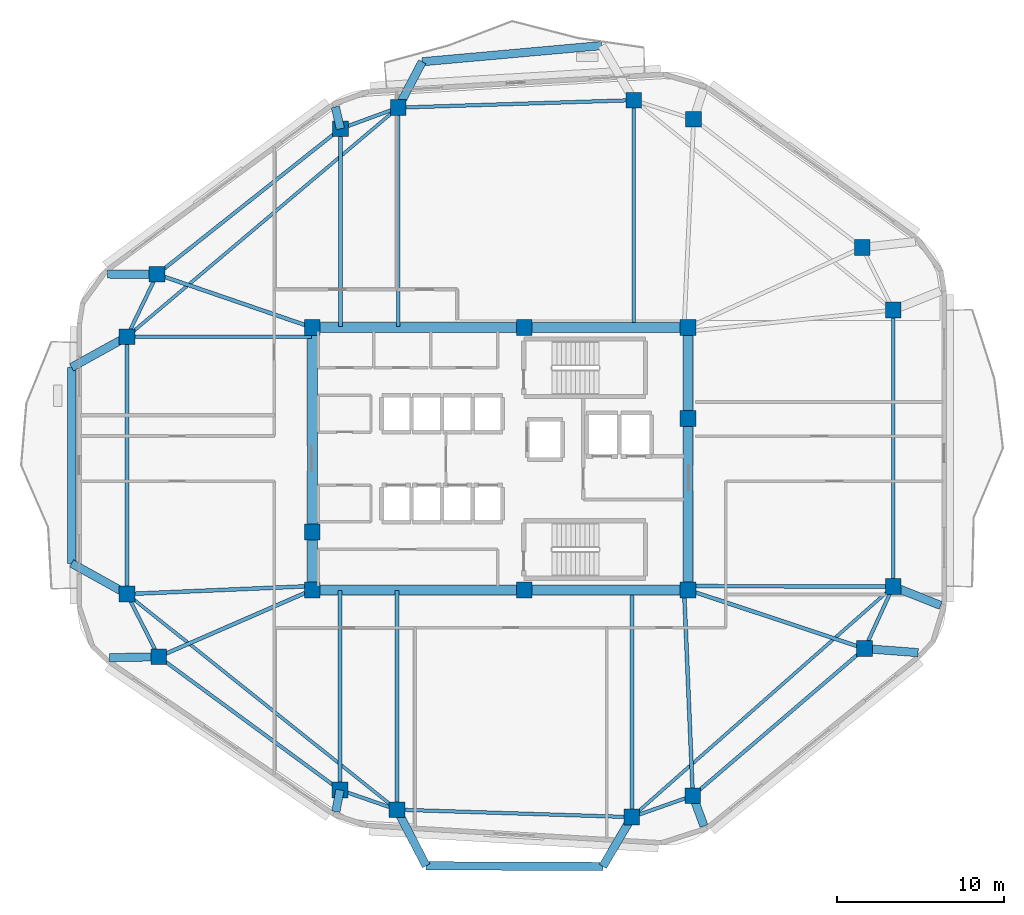
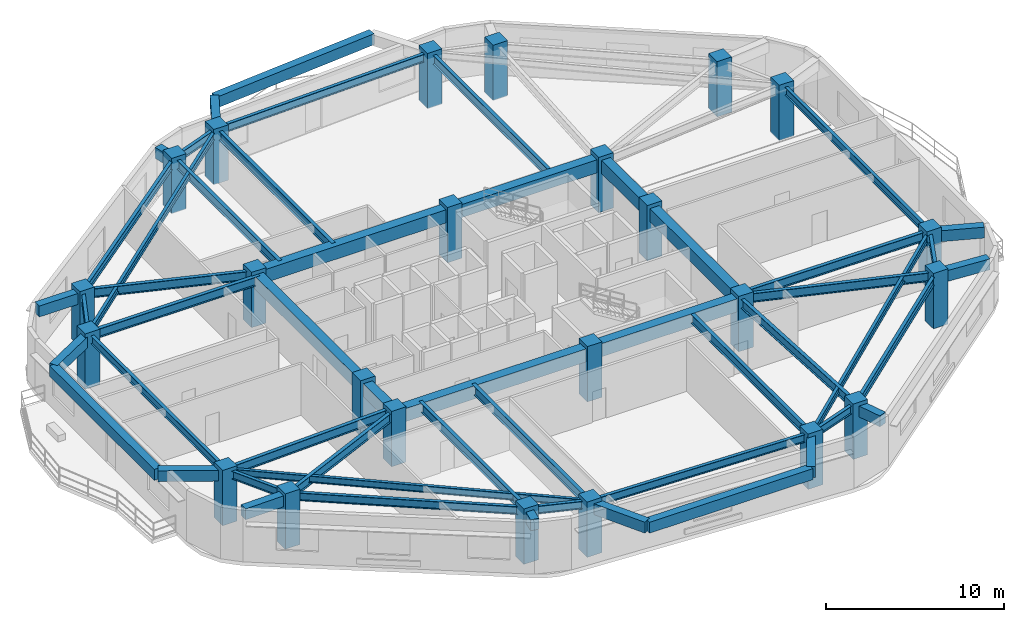
# One storey, part 1 of 9: 52 beams, 24 columns.
"""IFC4 building model written with IfcOpenShell, lengths in metres."""

from ifc_helpers import new_model, si_unit, direction, frame, origin, origin_2d, place, context, subcontext, project, spatial, rectangle, i_section, extrude, material, material_profile, profile_set, type_object, element, save


model = new_model("IFC4")

# Units and contexts
model_context = context("Model", 3, precision=1e-05, world=origin(), true_north=direction((0.0, 1.0)))
body_context = subcontext(model_context, "Body", "Model", "MODEL_VIEW")
ifc_project = project(units=[si_unit("LENGTHUNIT", "METRE"), si_unit("AREAUNIT", "SQUARE_METRE"), si_unit("VOLUMEUNIT", "CUBIC_METRE"), si_unit("PLANEANGLEUNIT", "RADIAN"), si_unit("MASSUNIT", "GRAM", prefix="KILO")], contexts=[model_context])

# Site, building, storey
site_placement = place(None, origin())
site = spatial("IfcSite", under=ifc_project, at=site_placement, CompositionType="ELEMENT")
building_placement = place(site_placement, origin())
building = spatial("IfcBuilding", under=site, at=building_placement, Name="Zulverin Broadcast Headquarters", CompositionType="ELEMENT")
storey_placement = place(building_placement, frame((0.0, 0.0, 197.199951171875)))
storey = spatial("IfcBuildingStorey", under=building, at=storey_placement, Name="L50", CompositionType="ELEMENT", Elevation=197.199951171875)

# Columns
ifc_material_1 = material(Name="Concrete C50/60", Category="concrete")
ifc_material_profile_1 = material_profile(ifc_material_1, rectangle(XDim=0.949951171875, YDim=0.949951171875, at=origin_2d()), Name="Concrete C50/60", Category="concrete")
ifc_profile_set_1 = profile_set([ifc_material_profile_1], Name="Concrete C50/60")
column_type_1 = type_object("IfcColumnType", Name="COL-RC-950", PredefinedType="COLUMN", material=ifc_profile_set_1)
for number, where, z_axis, x_axis, name in (
    (1, (30.80859375, 4.12744140625, 0.0), (0.0, 0.0, 1.0), (1.0, 0.0, 0.0), "L50 Perimeter Column T01"),
    (2, (44.909912109375, 3.68017578125, 0.0), (0.0, 0.0, 1.0), (1.0, 0.0, 0.0), "L50 Perimeter Column T02"),
    (3, (48.569580078125, 4.967041015625, 0.0), (0.0, 0.0, 1.0), (1.0, 0.0, 0.0), "L50 Perimeter Column T03"),
    (4, (58.886962890625, 13.798095703125, 0.0), (0.0, 0.0, 1.0), (1.0, 0.0, 0.0), "L50 Perimeter Column T04"),
    (5, (60.60009765625, 17.519287109375, 0.0), (0.0, 0.0, 1.0), (1.0, 0.0, 0.0), "L50 Perimeter Column T05"),
    (6, (60.60009765625, 34.12158203125, 0.0), (0.0, 0.0, 1.0), (1.0, 0.0, 0.0), "L50 Perimeter Column T06"),
    (7, (58.738037109375, 37.877685546875, 0.0), (0.0, 0.0, 1.0), (1.0, 0.0, 0.0), "L50 Perimeter Column T07"),
    (8, (48.62158203125, 45.574951171875, 0.0), (0.0, 0.0, 1.0), (1.0, 0.0, 0.0), "L50 Perimeter Column T08"),
    (9, (45.027587890625, 46.7236328125, 0.0), (0.0, 0.0, 1.0), (1.0, 0.0, 0.0), "L50 Perimeter Column T09"),
    (10, (30.882080078125, 46.27490234375, 0.0), (0.0, 0.0, 1.0), (1.0, 0.0, 0.0), "L50 Perimeter Column T10"),
    (11, (27.416259765625, 45.00439453125, 0.0), (0.0, 0.0, 1.0), (1.0, 0.0, 0.0), "L50 Perimeter Column T11"),
    (12, (16.40869140625, 36.26806640625, 0.0), (0.0, 0.0, 1.0), (1.0, 0.0, 0.0), "L50 Perimeter Column T12"),
    (13, (14.60009765625, 32.523193359375, 0.0), (0.0, 0.0, 1.0), (1.0, 0.0, 0.0), "L50 Perimeter Column T13"),
    (14, (14.60009765625, 17.072021484375, 0.0), (0.0, 0.0, 1.0), (1.0, 0.0, 0.0), "L50 Perimeter Column T14"),
    (15, (16.50537109375, 13.306884765625, 0.0), (0.0, 0.0, 1.0), (1.0, 0.0, 0.0), "L50 Perimeter Column T15"),
    (16, (27.38720703125, 5.309814453125, 0.0), (0.0, 0.0, 1.0), (1.0, 0.0, 0.0), "L50 Perimeter Column T16"),
):
    element("IfcColumn", number, at=place(storey_placement, frame(where, z_axis=z_axis, x_axis=x_axis)), inside=storey, type_object=column_type_1, Name=name, PredefinedType="COLUMN", context=body_context, shape_type="SweptSolid", body=[
        extrude(rectangle(XDim=0.949951171875, YDim=0.949951171875, at=origin_2d()), origin(), (0.0, 0.0, 1.0), 3.800048828125),
    ])
ifc_material_profile_2 = material_profile(ifc_material_1, rectangle(XDim=0.949951171875, YDim=0.949951171875, at=origin_2d()), Name="Concrete C50/60", Category="concrete")
ifc_profile_set_2 = profile_set([ifc_material_profile_2], Name="Concrete C50/60")
column_type_2 = type_object("IfcColumnType", Name="PIL-RC-950", PredefinedType="PILASTER", material=ifc_profile_set_2)
for number, where, z_axis, x_axis, name in (
    (17, (25.72509765625, 17.324951171875, 0.0), (0.0, 0.0, 1.0), (1.0, 0.0, 0.0), "L50 Core Pilaster K01"),
    (18, (38.449951171875, 17.324951171875, 0.0), (0.0, 0.0, 1.0), (1.0, 0.0, 0.0), "L50 Core Pilaster K02"),
    (19, (48.27490234375, 17.324951171875, 0.0), (0.0, 0.0, 1.0), (1.0, 0.0, 0.0), "L50 Core Pilaster K03"),
    (20, (48.27490234375, 27.6201171875, 0.0), (0.0, 0.0, 1.0), (1.0, 0.0, 0.0), "L50 Core Pilaster K04"),
    (21, (48.27490234375, 33.074951171875, 0.0), (0.0, 0.0, 1.0), (1.0, 0.0, 0.0), "L50 Core Pilaster K05"),
    (22, (38.449951171875, 33.074951171875, 0.0), (0.0, 0.0, 1.0), (1.0, 0.0, 0.0), "L50 Core Pilaster K06"),
    (23, (25.72509765625, 33.074951171875, 0.0), (0.0, 0.0, 1.0), (1.0, 0.0, 0.0), "L50 Core Pilaster K07"),
    (24, (25.72509765625, 20.800048828125, 0.0), (0.0, 0.0, 1.0), (1.0, 0.0, 0.0), "L50 Core Pilaster K08"),
):
    element("IfcColumn", number, at=place(storey_placement, frame(where, z_axis=z_axis, x_axis=x_axis)), inside=storey, type_object=column_type_2, Name=name, PredefinedType="PILASTER", context=body_context, shape_type="SweptSolid", body=[
        extrude(rectangle(XDim=0.949951171875, YDim=0.949951171875, at=origin_2d()), origin(), (0.0, 0.0, 1.0), 3.800048828125),
    ])

# Beams
ifc_material_2 = material(Name="Concrete C60/75", Category="concrete")
ifc_material_profile_3 = material_profile(ifc_material_2, rectangle(XDim=0.60009765625, YDim=0.89990234375, at=origin_2d()), Name="Concrete C60/75", Category="concrete")
ifc_profile_set_3 = profile_set([ifc_material_profile_3], Name="Concrete C60/75")
beam_type_1 = type_object("IfcBeamType", Name="BM-CB-600x900", PredefinedType="LINTEL", material=ifc_profile_set_3)
beam_1_placement = place(storey_placement, frame((25.72509765625, 17.324951171875, 3.090087890625), z_axis=(1.0, 0.0, 0.0), x_axis=(0.0, 1.0, 0.0)))
element("IfcBeam", 25, at=beam_1_placement, inside=storey, type_object=beam_type_1, Name="L50 Core Coupling Girder K01-K02", PredefinedType="LINTEL", context=body_context, shape_type="SweptSolid", body=[
    extrude(rectangle(XDim=0.60009765625, YDim=0.89990234375, at=origin_2d()), origin(), (0.0, 0.0, 1.0), 12.724853515625),
])
beam_2_placement = place(storey_placement, frame((38.449951171875, 17.324951171875, 3.090087890625), z_axis=(1.0, 0.0, 0.0), x_axis=(0.0, 1.0, 0.0)))
element("IfcBeam", 26, at=beam_2_placement, inside=storey, type_object=beam_type_1, Name="L50 Core Coupling Girder K02-K03", PredefinedType="LINTEL", context=body_context, shape_type="SweptSolid", body=[
    extrude(rectangle(XDim=0.60009765625, YDim=0.89990234375, at=origin_2d()), origin(), (0.0, 0.0, 1.0), 9.824951171875),
])
beam_3_placement = place(storey_placement, frame((48.27490234375, 17.324951171875, 3.090087890625), z_axis=(0.0, 1.0, 0.0), x_axis=(-1.0, 0.0, 0.0)))
element("IfcBeam", 27, at=beam_3_placement, inside=storey, type_object=beam_type_1, Name="L50 Core Coupling Girder K03-K04", PredefinedType="LINTEL", context=body_context, shape_type="SweptSolid", body=[
    extrude(rectangle(XDim=0.60009765625, YDim=0.89990234375, at=origin_2d()), origin(), (0.0, 0.0, 1.0), 10.295166015625),
])
beam_4_placement = place(storey_placement, frame((48.27490234375, 27.6201171875, 3.090087890625), z_axis=(0.0, 1.0, 0.0), x_axis=(-1.0, 0.0, 0.0)))
element("IfcBeam", 28, at=beam_4_placement, inside=storey, type_object=beam_type_1, Name="L50 Core Coupling Girder K04-K05", PredefinedType="LINTEL", context=body_context, shape_type="SweptSolid", body=[
    extrude(rectangle(XDim=0.60009765625, YDim=0.89990234375, at=origin_2d()), origin(), (0.0, 0.0, 1.0), 5.454833984375),
])
beam_5_placement = place(storey_placement, frame((48.27490234375, 33.074951171875, 3.090087890625), z_axis=(-1.0, 0.0, 0.0), x_axis=(0.0, -1.0, 0.0)))
element("IfcBeam", 29, at=beam_5_placement, inside=storey, type_object=beam_type_1, Name="L50 Core Coupling Girder K05-K06", PredefinedType="LINTEL", context=body_context, shape_type="SweptSolid", body=[
    extrude(rectangle(XDim=0.60009765625, YDim=0.89990234375, at=origin_2d()), origin(), (0.0, 0.0, 1.0), 9.824951171875),
])
beam_6_placement = place(storey_placement, frame((38.449951171875, 33.074951171875, 3.090087890625), z_axis=(-1.0, 0.0, 0.0), x_axis=(0.0, -1.0, 0.0)))
element("IfcBeam", 30, at=beam_6_placement, inside=storey, type_object=beam_type_1, Name="L50 Core Coupling Girder K06-K07", PredefinedType="LINTEL", context=body_context, shape_type="SweptSolid", body=[
    extrude(rectangle(XDim=0.60009765625, YDim=0.89990234375, at=origin_2d()), origin(), (0.0, 0.0, 1.0), 12.724853515625),
])
beam_7_placement = place(storey_placement, frame((25.72509765625, 33.074951171875, 3.090087890625), z_axis=(0.0, -1.0, 0.0), x_axis=(1.0, 0.0, 0.0)))
element("IfcBeam", 31, at=beam_7_placement, inside=storey, type_object=beam_type_1, Name="L50 Core Coupling Girder K07-K08", PredefinedType="LINTEL", context=body_context, shape_type="SweptSolid", body=[
    extrude(rectangle(XDim=0.60009765625, YDim=0.89990234375, at=origin_2d()), origin(), (0.0, 0.0, 1.0), 12.27490234375),
])
beam_8_placement = place(storey_placement, frame((25.72509765625, 20.800048828125, 3.090087890625), z_axis=(0.0, -1.0, 0.0), x_axis=(1.0, 0.0, 0.0)))
element("IfcBeam", 32, at=beam_8_placement, inside=storey, type_object=beam_type_1, Name="L50 Core Coupling Girder K08-K01", PredefinedType="LINTEL", context=body_context, shape_type="SweptSolid", body=[
    extrude(rectangle(XDim=0.60009765625, YDim=0.89990234375, at=origin_2d()), origin(), (0.0, 0.0, 1.0), 3.47509765625),
])
ifc_material_3 = material(Name="Concrete C40/50", Category="concrete")
ifc_material_profile_4 = material_profile(ifc_material_3, rectangle(XDim=0.5, YDim=0.75, at=origin_2d()), Name="Concrete C40/50", Category="concrete")
ifc_profile_set_4 = profile_set([ifc_material_profile_4], Name="Concrete C40/50")
beam_type_2 = type_object("IfcBeamType", Name="BM-RC-500x750", PredefinedType="BEAM", material=ifc_profile_set_4)
beam_9_placement = place(storey_placement, frame((48.569580078125, 4.967041015625, 3.1650390625), z_axis=(0.345752020663, -0.938325924297, 0.0), x_axis=(0.938325924297, 0.345752020663, 0.0)))
element("IfcBeam", 33, at=beam_9_placement, inside=storey, type_object=beam_type_2, Name="L51 Plate Overhang Back-Spanned Beam OVR-03", PredefinedType="BEAM", context=body_context, shape_type="SweptSolid", body=[
    extrude(rectangle(XDim=0.5, YDim=0.75, at=origin_2d()), origin(), (0.0, 0.0, 1.0), 1.939697265625),
])
beam_10_placement = place(storey_placement, frame((58.886962890625, 13.798095703125, 3.1650390625), z_axis=(0.997102032175, -0.076075866292, 0.0), x_axis=(0.076075866292, 0.997102032175, 0.0)))
element("IfcBeam", 34, at=beam_10_placement, inside=storey, type_object=beam_type_2, Name="L51 Plate Overhang Back-Spanned Beam OVR-04", PredefinedType="BEAM", context=body_context, shape_type="SweptSolid", body=[
    extrude(rectangle(XDim=0.5, YDim=0.75, at=origin_2d()), origin(), (0.0, 0.0, 1.0), 3.21875),
])
beam_11_placement = place(storey_placement, frame((60.60009765625, 17.519287109375, 3.1650390625), z_axis=(0.92971289004, -0.368285136944, 0.0), x_axis=(0.368285136944, 0.92971289004, 0.0)))
element("IfcBeam", 35, at=beam_11_placement, inside=storey, type_object=beam_type_2, Name="L51 Plate Overhang Back-Spanned Beam OVR-05", PredefinedType="BEAM", context=body_context, shape_type="SweptSolid", body=[
    extrude(rectangle(XDim=0.5, YDim=0.75, at=origin_2d()), origin(), (0.0, 0.0, 1.0), 3.065185546875),
])
beam_12_placement = place(storey_placement, frame((27.416259765625, 45.00439453125, 3.1650390625), z_axis=(-0.226537446689, 0.97400245649, 0.0), x_axis=(-0.97400245649, -0.226537446689, 0.0)))
element("IfcBeam", 36, at=beam_12_placement, inside=storey, type_object=beam_type_2, Name="L51 Plate Overhang Back-Spanned Beam OVR-11", PredefinedType="BEAM", context=body_context, shape_type="SweptSolid", body=[
    extrude(rectangle(XDim=0.5, YDim=0.75, at=origin_2d()), origin(), (0.0, 0.0, 1.0), 1.349365234375),
])
beam_13_placement = place(storey_placement, frame((16.40869140625, 36.26806640625, 3.1650390625), z_axis=(-0.999987827006, 0.004934150462, 0.0), x_axis=(-0.004934150462, -0.999987827006, 0.0)))
element("IfcBeam", 37, at=beam_13_placement, inside=storey, type_object=beam_type_2, Name="L51 Plate Overhang Back-Spanned Beam OVR-12", PredefinedType="BEAM", context=body_context, shape_type="SweptSolid", body=[
    extrude(rectangle(XDim=0.5, YDim=0.75, at=origin_2d()), origin(), (0.0, 0.0, 1.0), 2.96875),
])
beam_14_placement = place(storey_placement, frame((16.50537109375, 13.306884765625, 3.1650390625), z_axis=(-0.999808645539, -0.019562011805, 0.0), x_axis=(0.019562011805, -0.999808645539, 0.0)))
element("IfcBeam", 38, at=beam_14_placement, inside=storey, type_object=beam_type_2, Name="L51 Plate Overhang Back-Spanned Beam OVR-15", PredefinedType="BEAM", context=body_context, shape_type="SweptSolid", body=[
    extrude(rectangle(XDim=0.5, YDim=0.75, at=origin_2d()), origin(), (0.0, 0.0, 1.0), 2.957763671875),
])
beam_15_placement = place(storey_placement, frame((27.38720703125, 5.309814453125, 3.1650390625), z_axis=(-0.186527092112, -0.982449817501, 0.0), x_axis=(0.982449817501, -0.186527092112, 0.0)))
element("IfcBeam", 39, at=beam_15_placement, inside=storey, type_object=beam_type_2, Name="L51 Plate Overhang Back-Spanned Beam OVR-16", PredefinedType="BEAM", context=body_context, shape_type="SweptSolid", body=[
    extrude(rectangle(XDim=0.5, YDim=0.75, at=origin_2d()), origin(), (0.0, 0.0, 1.0), 1.3232421875),
])
beam_16_placement = place(storey_placement, frame((30.882080078125, 46.27490234375, 3.1650390625), z_axis=(0.46408912384, 0.885788510387, 0.0), x_axis=(-0.885788510387, 0.46408912384, 0.0)))
element("IfcBeam", 40, at=beam_16_placement, inside=storey, type_object=beam_type_2, Name="L51 Balcony Column-Framed Cantilever BAL_N-2", PredefinedType="BEAM", context=body_context, shape_type="SweptSolid", body=[
    extrude(rectangle(XDim=0.5, YDim=0.75, at=origin_2d()), origin(), (0.0, 0.0, 1.0), 3.110107421875),
])
beam_17_placement = place(storey_placement, frame((43.1044921875, 50.001220703125, 3.1650390625), z_axis=(-0.995963536189, -0.089758757684, 0.0), x_axis=(0.089758757684, -0.995963536189, 0.0)))
element("IfcBeam", 41, at=beam_17_placement, inside=storey, type_object=beam_type_2, Name="L51 Balcony Outer Edge Trimmer Beam BAL_N", PredefinedType="BEAM", context=body_context, shape_type="SweptSolid", body=[
    extrude(rectangle(XDim=0.5, YDim=0.75, at=origin_2d()), origin(), (0.0, 0.0, 1.0), 10.82275390625),
])
for number, where, z_axis, x_axis, name in (
    (42, (14.60009765625, 32.523193359375, 3.1650390625), (-0.875019567372, -0.484087550672, 0.0), (0.484087550672, -0.875019567372, 0.0), "L51 Balcony Column-Framed Cantilever BAL_W-1"),
    (43, (14.60009765625, 17.072021484375, 3.1650390625), (-0.874154245552, 0.485648386163, 0.0), (-0.485648386163, -0.874154245552, 0.0), "L51 Balcony Column-Framed Cantilever BAL_W-2"),
):
    element("IfcBeam", number, at=place(storey_placement, frame(where, z_axis=z_axis, x_axis=x_axis)), inside=storey, type_object=beam_type_2, Name=name, PredefinedType="BEAM", context=body_context, shape_type="SweptSolid", body=[
        extrude(rectangle(XDim=0.5, YDim=0.75, at=origin_2d()), origin(), (0.0, 0.0, 1.0), 3.800048828125),
    ])
beam_18_placement = place(storey_placement, frame((11.27490234375, 30.68359375, 3.1650390625), z_axis=(0.00029049258, -0.999999957807, 0.0), x_axis=(0.999999957807, 0.00029049258, 0.0)))
element("IfcBeam", 44, at=beam_18_placement, inside=storey, type_object=beam_type_2, Name="L51 Balcony Outer Edge Trimmer Beam BAL_W", PredefinedType="BEAM", context=body_context, shape_type="SweptSolid", body=[
    extrude(rectangle(XDim=0.5, YDim=0.75, at=origin_2d()), origin(), (0.0, 0.0, 1.0), 11.76611328125),
])
beam_19_placement = place(storey_placement, frame((30.80859375, 4.12744140625, 3.1650390625), z_axis=(0.4616743427, -0.88704949202, 0.0), x_axis=(0.88704949202, 0.4616743427, 0.0)))
element("IfcBeam", 45, at=beam_19_placement, inside=storey, type_object=beam_type_2, Name="L51 Balcony Column-Framed Cantilever BAL_S-1", PredefinedType="BEAM", context=body_context, shape_type="SweptSolid", body=[
    extrude(rectangle(XDim=0.5, YDim=0.75, at=origin_2d()), origin(), (0.0, 0.0, 1.0), 3.800048828125),
])
beam_20_placement = place(storey_placement, frame((44.909912109375, 3.68017578125, 3.1650390625), z_axis=(-0.506753058235, -0.862091258493, 0.0), x_axis=(0.862091258493, -0.506753058235, 0.0)))
element("IfcBeam", 46, at=beam_20_placement, inside=storey, type_object=beam_type_2, Name="L51 Balcony Column-Framed Cantilever BAL_S-2", PredefinedType="BEAM", context=body_context, shape_type="SweptSolid", body=[
    extrude(rectangle(XDim=0.5, YDim=0.75, at=origin_2d()), origin(), (0.0, 0.0, 1.0), 3.43603515625),
])
beam_21_placement = place(storey_placement, frame((32.56298828125, 0.756591796875, 3.1650390625), z_axis=(0.999993385756, -0.003637092952, 0.0), x_axis=(0.003637092952, 0.999993385756, 0.0)))
element("IfcBeam", 47, at=beam_21_placement, inside=storey, type_object=beam_type_2, Name="L51 Balcony Outer Edge Trimmer Beam BAL_S", PredefinedType="BEAM", context=body_context, shape_type="SweptSolid", body=[
    extrude(rectangle(XDim=0.5, YDim=0.75, at=origin_2d()), origin(), (0.0, 0.0, 1.0), 10.605712890625),
])
ifc_material_4 = material(Name="Structural steel S355JR", Category="steel")
ifc_material_profile_5 = material_profile(ifc_material_4, i_section(OverallWidth=0.19287109375, OverallDepth=0.46728515625, WebThickness=0.011474609375, FlangeThickness=0.01953125, at=origin_2d()), Name="Structural steel S355JR", Category="steel")
ifc_profile_set_5 = profile_set([ifc_material_profile_5], Name="Structural steel S355JR")
beam_type_3 = type_object("IfcBeamType", Name="BM-UB-457", PredefinedType="JOIST", material=ifc_profile_set_5)
beam_22_placement = place(storey_placement, frame((44.909912109375, 3.68017578125, 3.306396484375), z_axis=(0.74996043981, 0.661482682102, 0.0), x_axis=(-0.661482682102, 0.74996043981, 0.0)))
element("IfcBeam", 48, at=beam_22_placement, inside=storey, type_object=beam_type_3, Name="L50 Chordal Floor Joist J-01", PredefinedType="JOIST", context=body_context, shape_type="SweptSolid", body=[
    extrude(i_section(OverallWidth=0.19287109375, OverallDepth=0.46728515625, WebThickness=0.011474609375, FlangeThickness=0.01953125, at=origin_2d()), origin(), (0.0, 0.0, 1.0), 20.92138671875),
])
beam_23_placement = place(storey_placement, frame((30.882080078125, 46.27490234375, 3.306396484375), z_axis=(-0.763972566446, -0.645248725468, 0.0), x_axis=(0.645248725468, -0.763972566446, 0.0)))
element("IfcBeam", 49, at=beam_23_placement, inside=storey, type_object=beam_type_3, Name="L50 Chordal Floor Joist J-03", PredefinedType="JOIST", context=body_context, shape_type="SweptSolid", body=[
    extrude(i_section(OverallWidth=0.19287109375, OverallDepth=0.46728515625, WebThickness=0.011474609375, FlangeThickness=0.01953125, at=origin_2d()), origin(), (0.0, 0.0, 1.0), 21.312255859375),
])
beam_24_placement = place(storey_placement, frame((14.60009765625, 17.072021484375, 3.306396484375), z_axis=(0.781390996609, -0.624041753746, 0.0), x_axis=(0.624041753746, 0.781390996609, 0.0)))
element("IfcBeam", 50, at=beam_24_placement, inside=storey, type_object=beam_type_3, Name="L50 Chordal Floor Joist J-04", PredefinedType="JOIST", context=body_context, shape_type="SweptSolid", body=[
    extrude(i_section(OverallWidth=0.19287109375, OverallDepth=0.46728515625, WebThickness=0.011474609375, FlangeThickness=0.01953125, at=origin_2d()), origin(), (0.0, 0.0, 1.0), 20.7431640625),
])
ifc_material_profile_6 = material_profile(ifc_material_4, i_section(OverallWidth=0.2119140625, OverallDepth=0.54443359375, WebThickness=0.0126953125, FlangeThickness=0.021240234375, at=origin_2d()), Name="Structural steel S355JR", Category="steel")
ifc_profile_set_6 = profile_set([ifc_material_profile_6], Name="Structural steel S355JR")
beam_type_4 = type_object("IfcBeamType", Name="BM-UB-533", PredefinedType="SPANDREL", material=ifc_profile_set_6)
beam_25_placement = place(storey_placement, frame((30.80859375, 4.12744140625, 3.267822265625), z_axis=(0.999497363437, -0.031702058031, 0.0), x_axis=(0.031702058031, 0.999497363437, 0.0)))
element("IfcBeam", 51, at=beam_25_placement, inside=storey, type_object=beam_type_4, Name="L50 Perimeter Spandrel Beam SP-01", PredefinedType="SPANDREL", context=body_context, shape_type="SweptSolid", body=[
    extrude(i_section(OverallWidth=0.2119140625, OverallDepth=0.54443359375, WebThickness=0.0126953125, FlangeThickness=0.021240234375, at=origin_2d()), origin(), (0.0, 0.0, 1.0), 14.1083984375),
])
beam_26_placement = place(storey_placement, frame((44.909912109375, 3.68017578125, 3.267822265625), z_axis=(0.943376593622, 0.331723684121, 0.0), x_axis=(-0.331723684121, 0.943376593622, 0.0)))
element("IfcBeam", 52, at=beam_26_placement, inside=storey, type_object=beam_type_4, Name="L50 Perimeter Spandrel Beam SP-02", PredefinedType="SPANDREL", context=body_context, shape_type="SweptSolid", body=[
    extrude(i_section(OverallWidth=0.2119140625, OverallDepth=0.54443359375, WebThickness=0.0126953125, FlangeThickness=0.021240234375, at=origin_2d()), origin(), (0.0, 0.0, 1.0), 3.87939453125),
])
beam_27_placement = place(storey_placement, frame((48.569580078125, 4.967041015625, 3.267822265625), z_axis=(0.759708170965, 0.650264173217, 0.0), x_axis=(-0.650264173217, 0.759708170965, 0.0)))
element("IfcBeam", 53, at=beam_27_placement, inside=storey, type_object=beam_type_4, Name="L50 Perimeter Spandrel Beam SP-03", PredefinedType="SPANDREL", context=body_context, shape_type="SweptSolid", body=[
    extrude(i_section(OverallWidth=0.2119140625, OverallDepth=0.54443359375, WebThickness=0.0126953125, FlangeThickness=0.021240234375, at=origin_2d()), origin(), (0.0, 0.0, 1.0), 13.580810546875),
])
beam_28_placement = place(storey_placement, frame((58.886962890625, 13.798095703125, 3.267822265625), z_axis=(0.418184975358, 0.90836189175, 0.0), x_axis=(-0.90836189175, 0.418184975358, 0.0)))
element("IfcBeam", 54, at=beam_28_placement, inside=storey, type_object=beam_type_4, Name="L50 Perimeter Spandrel Beam SP-04", PredefinedType="SPANDREL", context=body_context, shape_type="SweptSolid", body=[
    extrude(i_section(OverallWidth=0.2119140625, OverallDepth=0.54443359375, WebThickness=0.0126953125, FlangeThickness=0.021240234375, at=origin_2d()), origin(), (0.0, 0.0, 1.0), 4.0966796875),
])
beam_29_placement = place(storey_placement, frame((60.60009765625, 17.519287109375, 3.267822265625), z_axis=(0.0, 1.0, 0.0), x_axis=(-1.0, 0.0, 0.0)))
element("IfcBeam", 55, at=beam_29_placement, inside=storey, type_object=beam_type_4, Name="L50 Perimeter Spandrel Beam SP-05", PredefinedType="SPANDREL", context=body_context, shape_type="SweptSolid", body=[
    extrude(i_section(OverallWidth=0.2119140625, OverallDepth=0.54443359375, WebThickness=0.0126953125, FlangeThickness=0.021240234375, at=origin_2d()), origin(), (0.0, 0.0, 1.0), 16.602294921875),
])
beam_30_placement = place(storey_placement, frame((45.027587890625, 46.7236328125, 3.267822265625), z_axis=(-0.999497221833, -0.031706522156, 0.0), x_axis=(0.031706522156, -0.999497221833, 0.0)))
element("IfcBeam", 56, at=beam_30_placement, inside=storey, type_object=beam_type_4, Name="L50 Perimeter Spandrel Beam SP-09", PredefinedType="SPANDREL", context=body_context, shape_type="SweptSolid", body=[
    extrude(i_section(OverallWidth=0.2119140625, OverallDepth=0.54443359375, WebThickness=0.0126953125, FlangeThickness=0.021240234375, at=origin_2d()), origin(), (0.0, 0.0, 1.0), 14.152587890625),
])
beam_31_placement = place(storey_placement, frame((30.882080078125, 46.27490234375, 3.267822265625), z_axis=(-0.938901965426, -0.344184687805, 0.0), x_axis=(0.344184687805, -0.938901965426, 0.0)))
element("IfcBeam", 57, at=beam_31_placement, inside=storey, type_object=beam_type_4, Name="L50 Perimeter Spandrel Beam SP-10", PredefinedType="SPANDREL", context=body_context, shape_type="SweptSolid", body=[
    extrude(i_section(OverallWidth=0.2119140625, OverallDepth=0.54443359375, WebThickness=0.0126953125, FlangeThickness=0.021240234375, at=origin_2d()), origin(), (0.0, 0.0, 1.0), 3.69140625),
])
beam_32_placement = place(storey_placement, frame((27.416259765625, 45.00439453125, 3.267822265625), z_axis=(-0.783283263401, -0.621664965457, 0.0), x_axis=(0.621664965457, -0.783283263401, 0.0)))
element("IfcBeam", 58, at=beam_32_placement, inside=storey, type_object=beam_type_4, Name="L50 Perimeter Spandrel Beam SP-11", PredefinedType="SPANDREL", context=body_context, shape_type="SweptSolid", body=[
    extrude(i_section(OverallWidth=0.2119140625, OverallDepth=0.54443359375, WebThickness=0.0126953125, FlangeThickness=0.021240234375, at=origin_2d()), origin(), (0.0, 0.0, 1.0), 14.05322265625),
])
beam_33_placement = place(storey_placement, frame((16.40869140625, 36.26806640625, 3.267822265625), z_axis=(-0.434890248034, -0.900483465792, 0.0), x_axis=(0.900483465792, -0.434890248034, 0.0)))
element("IfcBeam", 59, at=beam_33_placement, inside=storey, type_object=beam_type_4, Name="L50 Perimeter Spandrel Beam SP-12", PredefinedType="SPANDREL", context=body_context, shape_type="SweptSolid", body=[
    extrude(i_section(OverallWidth=0.2119140625, OverallDepth=0.54443359375, WebThickness=0.0126953125, FlangeThickness=0.021240234375, at=origin_2d()), origin(), (0.0, 0.0, 1.0), 4.15869140625),
])
beam_34_placement = place(storey_placement, frame((14.60009765625, 32.523193359375, 3.267822265625), z_axis=(0.0, -1.0, 0.0), x_axis=(1.0, 0.0, 0.0)))
element("IfcBeam", 60, at=beam_34_placement, inside=storey, type_object=beam_type_4, Name="L50 Perimeter Spandrel Beam SP-13", PredefinedType="SPANDREL", context=body_context, shape_type="SweptSolid", body=[
    extrude(i_section(OverallWidth=0.2119140625, OverallDepth=0.54443359375, WebThickness=0.0126953125, FlangeThickness=0.021240234375, at=origin_2d()), origin(), (0.0, 0.0, 1.0), 15.451171875),
])
beam_35_placement = place(storey_placement, frame((14.60009765625, 17.072021484375, 3.267822265625), z_axis=(0.451512947895, -0.892264567201, 0.0), x_axis=(0.892264567201, 0.451512947895, 0.0)))
element("IfcBeam", 61, at=beam_35_placement, inside=storey, type_object=beam_type_4, Name="L50 Perimeter Spandrel Beam SP-14", PredefinedType="SPANDREL", context=body_context, shape_type="SweptSolid", body=[
    extrude(i_section(OverallWidth=0.2119140625, OverallDepth=0.54443359375, WebThickness=0.0126953125, FlangeThickness=0.021240234375, at=origin_2d()), origin(), (0.0, 0.0, 1.0), 4.2197265625),
])
beam_36_placement = place(storey_placement, frame((16.50537109375, 13.306884765625, 3.267822265625), z_axis=(0.805802234061, -0.592184734338, 0.0), x_axis=(0.592184734338, 0.805802234061, 0.0)))
element("IfcBeam", 62, at=beam_36_placement, inside=storey, type_object=beam_type_4, Name="L50 Perimeter Spandrel Beam SP-15", PredefinedType="SPANDREL", context=body_context, shape_type="SweptSolid", body=[
    extrude(i_section(OverallWidth=0.2119140625, OverallDepth=0.54443359375, WebThickness=0.0126953125, FlangeThickness=0.021240234375, at=origin_2d()), origin(), (0.0, 0.0, 1.0), 13.50439453125),
])
beam_37_placement = place(storey_placement, frame((27.38720703125, 5.309814453125, 3.267822265625), z_axis=(0.945152732867, -0.326628705956, 0.0), x_axis=(0.326628705956, 0.945152732867, 0.0)))
element("IfcBeam", 63, at=beam_37_placement, inside=storey, type_object=beam_type_4, Name="L50 Perimeter Spandrel Beam SP-16", PredefinedType="SPANDREL", context=body_context, shape_type="SweptSolid", body=[
    extrude(i_section(OverallWidth=0.2119140625, OverallDepth=0.54443359375, WebThickness=0.0126953125, FlangeThickness=0.021240234375, at=origin_2d()), origin(), (0.0, 0.0, 1.0), 3.619873046875),
])
ifc_material_profile_7 = material_profile(ifc_material_4, i_section(OverallWidth=0.230224609375, OverallDepth=0.6171875, WebThickness=0.01318359375, FlangeThickness=0.022216796875, at=origin_2d()), Name="Structural steel S355JR", Category="steel")
ifc_profile_set_7 = profile_set([ifc_material_profile_7], Name="Structural steel S355JR")
beam_type_5 = type_object("IfcBeamType", Name="BM-UB-610", PredefinedType="BEAM", material=ifc_profile_set_7)
beam_38_placement = place(storey_placement, frame((30.80859375, 17.27490234375, 3.2314453125), z_axis=(0.0, -1.0, 0.0), x_axis=(1.0, 0.0, 0.0)))
element("IfcBeam", 64, at=beam_38_placement, inside=storey, type_object=beam_type_5, Name="L50 Radial Primary Floor Beam RB-01", PredefinedType="BEAM", context=body_context, shape_type="SweptSolid", body=[
    extrude(i_section(OverallWidth=0.230224609375, OverallDepth=0.6171875, WebThickness=0.01318359375, FlangeThickness=0.022216796875, at=origin_2d()), origin(), (0.0, 0.0, 1.0), 13.1474609375),
])
beam_39_placement = place(storey_placement, frame((44.909912109375, 17.27490234375, 3.2314453125), z_axis=(0.0, -1.0, 0.0), x_axis=(1.0, 0.0, 0.0)))
element("IfcBeam", 65, at=beam_39_placement, inside=storey, type_object=beam_type_5, Name="L50 Radial Primary Floor Beam RB-02", PredefinedType="BEAM", context=body_context, shape_type="SweptSolid", body=[
    extrude(i_section(OverallWidth=0.230224609375, OverallDepth=0.6171875, WebThickness=0.01318359375, FlangeThickness=0.022216796875, at=origin_2d()), origin(), (0.0, 0.0, 1.0), 13.5947265625),
])
beam_40_placement = place(storey_placement, frame((48.050048828125, 17.27490234375, 3.2314453125), z_axis=(0.042173778549, -0.99911029041, 0.0), x_axis=(0.99911029041, 0.042173778549, 0.0)))
element("IfcBeam", 66, at=beam_40_placement, inside=storey, type_object=beam_type_5, Name="L50 Radial Primary Floor Beam RB-03", PredefinedType="BEAM", context=body_context, shape_type="SweptSolid", body=[
    extrude(i_section(OverallWidth=0.230224609375, OverallDepth=0.6171875, WebThickness=0.01318359375, FlangeThickness=0.022216796875, at=origin_2d()), origin(), (0.0, 0.0, 1.0), 12.31884765625),
])
beam_41_placement = place(storey_placement, frame((48.27490234375, 17.324951171875, 3.2314453125), z_axis=(0.948964552547, -0.315382748432, 0.0), x_axis=(0.315382748432, 0.948964552547, 0.0)))
element("IfcBeam", 67, at=beam_41_placement, inside=storey, type_object=beam_type_5, Name="L50 Radial Primary Floor Beam RB-04", PredefinedType="BEAM", context=body_context, shape_type="SweptSolid", body=[
    extrude(i_section(OverallWidth=0.230224609375, OverallDepth=0.6171875, WebThickness=0.01318359375, FlangeThickness=0.022216796875, at=origin_2d()), origin(), (0.0, 0.0, 1.0), 11.182861328125),
])
beam_42_placement = place(storey_placement, frame((48.324951171875, 17.550048828125, 3.2314453125), z_axis=(0.999996859956, -0.002506008559, 0.0), x_axis=(0.002506008559, 0.999996859956, 0.0)))
element("IfcBeam", 68, at=beam_42_placement, inside=storey, type_object=beam_type_5, Name="L50 Radial Primary Floor Beam RB-05", PredefinedType="BEAM", context=body_context, shape_type="SweptSolid", body=[
    extrude(i_section(OverallWidth=0.230224609375, OverallDepth=0.6171875, WebThickness=0.01318359375, FlangeThickness=0.022216796875, at=origin_2d()), origin(), (0.0, 0.0, 1.0), 12.275146484375),
])
beam_43_placement = place(storey_placement, frame((45.027587890625, 33.125, 3.2314453125), z_axis=(0.0, 1.0, 0.0), x_axis=(-1.0, 0.0, 0.0)))
element("IfcBeam", 69, at=beam_43_placement, inside=storey, type_object=beam_type_5, Name="L50 Radial Primary Floor Beam RB-09", PredefinedType="BEAM", context=body_context, shape_type="SweptSolid", body=[
    extrude(i_section(OverallWidth=0.230224609375, OverallDepth=0.6171875, WebThickness=0.01318359375, FlangeThickness=0.022216796875, at=origin_2d()), origin(), (0.0, 0.0, 1.0), 13.5986328125),
])
beam_44_placement = place(storey_placement, frame((30.882080078125, 33.125, 3.2314453125), z_axis=(0.0, 1.0, 0.0), x_axis=(-1.0, 0.0, 0.0)))
element("IfcBeam", 70, at=beam_44_placement, inside=storey, type_object=beam_type_5, Name="L50 Radial Primary Floor Beam RB-10", PredefinedType="BEAM", context=body_context, shape_type="SweptSolid", body=[
    extrude(i_section(OverallWidth=0.230224609375, OverallDepth=0.6171875, WebThickness=0.01318359375, FlangeThickness=0.022216796875, at=origin_2d()), origin(), (0.0, 0.0, 1.0), 13.14990234375),
])
beam_45_placement = place(storey_placement, frame((27.416259765625, 33.125, 3.2314453125), z_axis=(0.0, 1.0, 0.0), x_axis=(-1.0, 0.0, 0.0)))
element("IfcBeam", 71, at=beam_45_placement, inside=storey, type_object=beam_type_5, Name="L50 Radial Primary Floor Beam RB-11", PredefinedType="BEAM", context=body_context, shape_type="SweptSolid", body=[
    extrude(i_section(OverallWidth=0.230224609375, OverallDepth=0.6171875, WebThickness=0.01318359375, FlangeThickness=0.022216796875, at=origin_2d()), origin(), (0.0, 0.0, 1.0), 11.87939453125),
])
beam_46_placement = place(storey_placement, frame((25.72509765625, 33.074951171875, 3.2314453125), z_axis=(-0.945979621685, 0.324226086793, 0.0), x_axis=(-0.324226086793, -0.945979621685, 0.0)))
element("IfcBeam", 72, at=beam_46_placement, inside=storey, type_object=beam_type_5, Name="L50 Radial Primary Floor Beam RB-12", PredefinedType="BEAM", context=body_context, shape_type="SweptSolid", body=[
    extrude(i_section(OverallWidth=0.230224609375, OverallDepth=0.6171875, WebThickness=0.01318359375, FlangeThickness=0.022216796875, at=origin_2d()), origin(), (0.0, 0.0, 1.0), 9.848388671875),
])
beam_47_placement = place(storey_placement, frame((25.675048828125, 32.523193359375, 3.2314453125), z_axis=(-1.0, 0.0, 0.0), x_axis=(0.0, -1.0, 0.0)))
element("IfcBeam", 73, at=beam_47_placement, inside=storey, type_object=beam_type_5, Name="L50 Radial Primary Floor Beam RB-13", PredefinedType="BEAM", context=body_context, shape_type="SweptSolid", body=[
    extrude(i_section(OverallWidth=0.230224609375, OverallDepth=0.6171875, WebThickness=0.01318359375, FlangeThickness=0.022216796875, at=origin_2d()), origin(), (0.0, 0.0, 1.0), 11.074951171875),
])
beam_48_placement = place(storey_placement, frame((25.675048828125, 17.550048828125, 3.2314453125), z_axis=(-0.999069780306, -0.043122779134, 0.0), x_axis=(0.043122779134, -0.999069780306, 0.0)))
element("IfcBeam", 74, at=beam_48_placement, inside=storey, type_object=beam_type_5, Name="L50 Radial Primary Floor Beam RB-14", PredefinedType="BEAM", context=body_context, shape_type="SweptSolid", body=[
    extrude(i_section(OverallWidth=0.230224609375, OverallDepth=0.6171875, WebThickness=0.01318359375, FlangeThickness=0.022216796875, at=origin_2d()), origin(), (0.0, 0.0, 1.0), 11.085205078125),
])
beam_49_placement = place(storey_placement, frame((25.72509765625, 17.324951171875, 3.2314453125), z_axis=(-0.916724690104, -0.39951951461, 0.0), x_axis=(0.39951951461, -0.916724690104, 0.0)))
element("IfcBeam", 75, at=beam_49_placement, inside=storey, type_object=beam_type_5, Name="L50 Radial Primary Floor Beam RB-15", PredefinedType="BEAM", context=body_context, shape_type="SweptSolid", body=[
    extrude(i_section(OverallWidth=0.230224609375, OverallDepth=0.6171875, WebThickness=0.01318359375, FlangeThickness=0.022216796875, at=origin_2d()), origin(), (0.0, 0.0, 1.0), 10.05712890625),
])
beam_50_placement = place(storey_placement, frame((27.38720703125, 17.27490234375, 3.2314453125), z_axis=(0.0, -1.0, 0.0), x_axis=(1.0, 0.0, 0.0)))
element("IfcBeam", 76, at=beam_50_placement, inside=storey, type_object=beam_type_5, Name="L50 Radial Primary Floor Beam RB-16", PredefinedType="BEAM", context=body_context, shape_type="SweptSolid", body=[
    extrude(i_section(OverallWidth=0.230224609375, OverallDepth=0.6171875, WebThickness=0.01318359375, FlangeThickness=0.022216796875, at=origin_2d()), origin(), (0.0, 0.0, 1.0), 11.965087890625),
])

save(model, "model.ifc")
